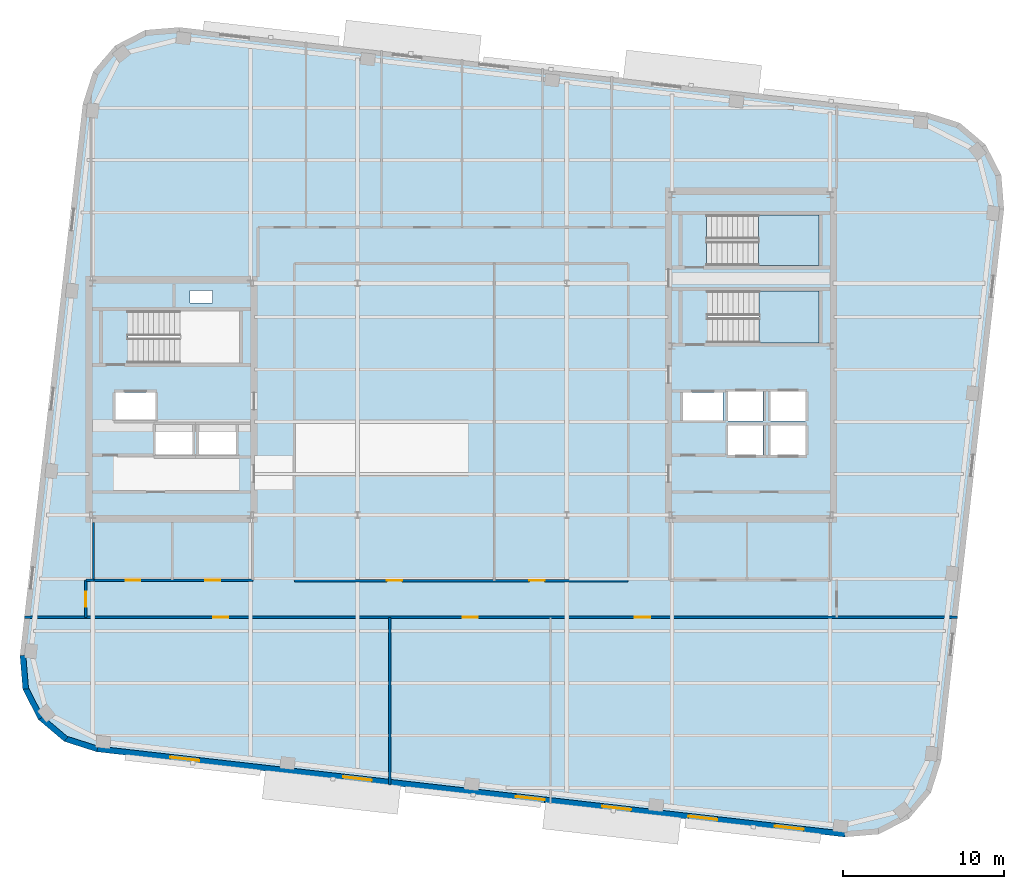
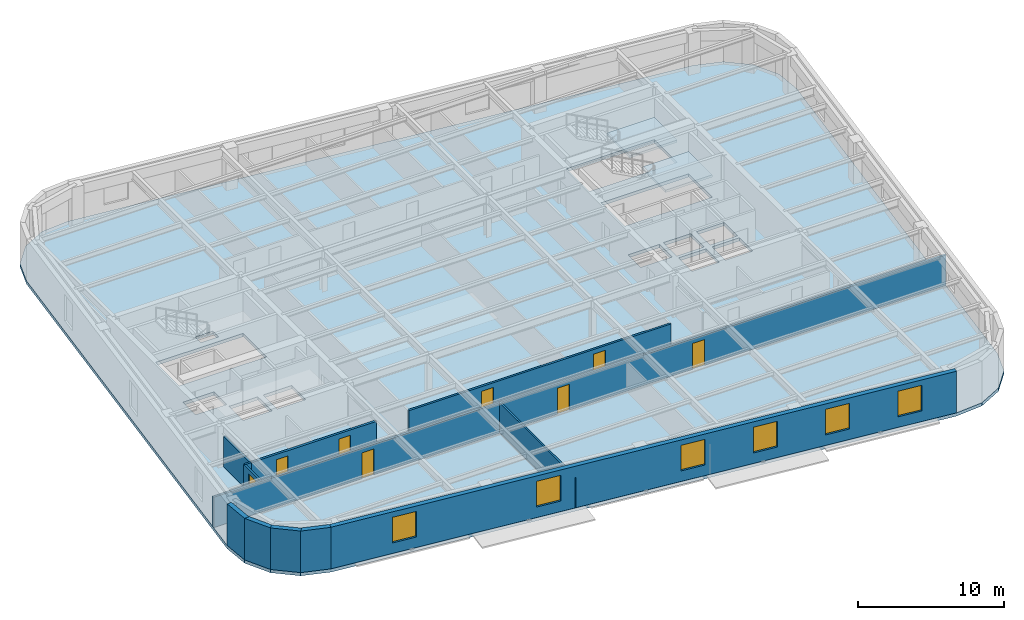
# One storey, part 5 of 13: 12 walls, 8 doors, 6 windows, 3 slabs, 14 openings, 2 elements without a shape of their own.
"""IFC4 building model written with IfcOpenShell, lengths in metres."""

import ifcopenshell
import ifcopenshell.guid

model = None  # the IFC model being written
_history = None  # IfcOwnerHistory: only IFC2X3 demands one
_inside = {}  # id of a spatial element -> (the spatial element, [elements in it])
_under = {}  # id of a project, library or spatial element -> (it, [spatial elements below it])
_declared = {}  # id of a project -> (the project, [libraries it declares])
_typed = {}  # id of a type object -> (the type object, [elements of that type])
_made_of = {}  # id of a material, layer set ... -> (it, [elements and type objects made of it])


def new_model(schema):
    """Start an empty IFC model of exactly this schema.

    Asked for "IFC4X3", IfcOpenShell would pick the latest addendum, in which some entities
    have other attributes; the version numbers below select the first issue.
    IFC2X3 requires an IfcOwnerHistory on every rooted entity: one is made here for all.
    """
    global model, _history
    if schema == "IFC4X3":
        model = ifcopenshell.file(schema_version=(4, 3, 0, 0))
    else:
        model = ifcopenshell.file(schema=schema)
    _inside.clear()
    _under.clear()
    _declared.clear()
    _typed.clear()
    _made_of.clear()
    _history = None
    if model.schema == "IFC2X3":
        org = make("IfcOrganization", Name="unknown")
        user = make(
            "IfcPersonAndOrganization",
            ThePerson=make("IfcPerson", FamilyName="unknown"),
            TheOrganization=org,
        )
        app = make(
            "IfcApplication",
            ApplicationDeveloper=org,
            Version="unknown",
            ApplicationFullName="unknown",
            ApplicationIdentifier="unknown",
        )
        _history = make(
            "IfcOwnerHistory",
            OwningUser=user,
            OwningApplication=app,
            ChangeAction="ADDED",
            CreationDate=0,
        )
    return model


def make(cls, **values):
    """One entity of the class cls with the attributes given. An attribute that is None is left unset."""
    return model.create_entity(
        cls, **{name: value for name, value in values.items() if value is not None}
    )


def rooted(cls, **values):
    """An entity with a GlobalId (a new one), such as an element, a storey or a relation."""
    return make(cls, GlobalId=ifcopenshell.guid.new(), OwnerHistory=_history, **values)


def si_unit(unit_type, name, prefix=None):
    """IfcSIUnit, for example si_unit("LENGTHUNIT", "METRE", prefix="MILLI")."""
    return make("IfcSIUnit", UnitType=unit_type, Prefix=prefix, Name=name)


def assignment(units):
    """IfcUnitAssignment: the units of a project."""
    return None if units is None else make("IfcUnitAssignment", Units=units)


def point(xyz):
    """IfcCartesianPoint."""
    return None if xyz is None else make("IfcCartesianPoint", Coordinates=xyz)


def direction(xyz):
    """IfcDirection."""
    return None if xyz is None else make("IfcDirection", DirectionRatios=xyz)


def frame(location, z_axis=None, x_axis=None):
    """IfcAxis2Placement3D, a coordinate frame: its origin and axes. An axis left out is left unset."""
    return make(
        "IfcAxis2Placement3D",
        Location=point(location),
        Axis=direction(z_axis),
        RefDirection=direction(x_axis),
    )


def frame_2d(location, x_axis=None):
    """IfcAxis2Placement2D, a coordinate frame in the plane: its origin and x axis."""
    return make(
        "IfcAxis2Placement2D", Location=point(location), RefDirection=direction(x_axis)
    )


def origin():
    """The frame at (0, 0, 0) with its axes left unset."""
    return frame((0.0, 0.0, 0.0))


def place(relative_to, where):
    """IfcLocalPlacement: puts the frame where relative to a parent placement (None: the world)."""
    return make(
        "IfcLocalPlacement", PlacementRelTo=relative_to, RelativePlacement=where
    )


def context(
    kind, dimensions, precision=None, world=None, true_north=None, identifier=None
):
    """IfcGeometricRepresentationContext, for example the 3D "Model" context."""
    return make(
        "IfcGeometricRepresentationContext",
        ContextIdentifier=identifier,
        ContextType=kind,
        CoordinateSpaceDimension=dimensions,
        Precision=precision,
        WorldCoordinateSystem=world,
        TrueNorth=true_north,
    )


def subcontext(parent, identifier, kind, view, scale=None):
    """IfcGeometricRepresentationSubContext, for example "Body" below "Model"."""
    return make(
        "IfcGeometricRepresentationSubContext",
        ContextIdentifier=identifier,
        ContextType=kind,
        ParentContext=parent,
        TargetScale=scale,
        TargetView=view,
    )


def project(units=None, contexts=None):
    """IfcProject with its units and contexts."""
    return rooted(
        "IfcProject",
        Name="project",
        RepresentationContexts=contexts,
        UnitsInContext=assignment(units),
    )


def spatial(cls, under=None, at=None, **own):
    """A site, building, storey or space (cls), placed at a placement, below another one or the project."""
    s = rooted(cls, ObjectPlacement=at, **own)
    if under is not None:
        _under.setdefault(under.id(), (under, []))[1].append(s)
    return s


def polyline(points):
    """IfcPolyline through the points."""
    return make("IfcPolyline", Points=[point(p) for p in points])


def profile(cls, at=None, kind="AREA", **sizes):
    """A parametric profile (cls). Its sizes go by their IFC names, for example OverallWidth=200.0."""
    return make(cls, ProfileType=kind, Position=at, **sizes)


def rectangle(**sizes):
    """IfcRectangleProfileDef."""
    return profile("IfcRectangleProfileDef", **sizes)


def outline(outer, holes=None, kind="AREA"):
    """IfcArbitraryClosedProfileDef: a profile drawn as a closed curve; with holes, ...WithVoids."""
    if holes is None:
        return make("IfcArbitraryClosedProfileDef", ProfileType=kind, OuterCurve=outer)
    return make(
        "IfcArbitraryProfileDefWithVoids",
        ProfileType=kind,
        OuterCurve=outer,
        InnerCurves=holes,
    )


def extrude(swept, where, along, depth):
    """IfcExtrudedAreaSolid: the profile swept, set in the frame where, extruded along a direction by depth."""
    return make(
        "IfcExtrudedAreaSolid",
        SweptArea=swept,
        Position=where,
        ExtrudedDirection=direction(along),
        Depth=depth,
    )


def shape(context_of_items, identifier, shape_type, items):
    """IfcShapeRepresentation: the items that make up one representation, for example the "Body"."""
    return make(
        "IfcShapeRepresentation",
        ContextOfItems=context_of_items,
        RepresentationIdentifier=identifier,
        RepresentationType=shape_type,
        Items=items,
    )


def material(Name=None, Category=None):
    """IfcMaterial."""
    return make("IfcMaterial", Name=Name, Category=Category)


def layer(
    of_material, thickness, ventilated=None, Name=None, Category=None, Priority=None
):
    """IfcMaterialLayer: one layer of a wall or slab, of a material (None: an air gap)."""
    return make(
        "IfcMaterialLayer",
        Material=of_material,
        LayerThickness=thickness,
        IsVentilated=ventilated,
        Name=Name,
        Category=Category,
        Priority=Priority,
    )


def layer_set(layers, Name=None):
    """IfcMaterialLayerSet."""
    return make("IfcMaterialLayerSet", MaterialLayers=layers, LayerSetName=Name)


def made_of(thing, what):
    """Note that an element or type object is made of a material, layer set ...; save() writes the relation."""
    if what is not None:
        _made_of.setdefault(what.id(), (what, []))[1].append(thing)
    return thing


def type_object(cls, material=None, **own):
    """A type object (cls), such as IfcWallType, which elements share."""
    return made_of(rooted(cls, **own), material)


def element(
    cls,
    number,
    at=None,
    inside=None,
    cuts=None,
    type_object=None,
    material=None,
    context=None,
    identifier="Body",
    shape_type=None,
    held_by="IfcProductDefinitionShape",
    body=None,
    shapes=None,
    **own,
):
    """One element of the class cls, such as IfcWall. Its Tag is "e" and its number.

    at: its placement. inside: the storey or other place that contains it. cuts: it is an
    opening in that element (IfcRelVoidsElement). A single representation is given by context,
    identifier, shape_type and body (its items); several are given by shapes. held_by: the class
    of the entity that holds the representations. save() writes the other relations.
    """
    e = rooted(cls, Tag="e%d" % number, ObjectPlacement=at, **own)
    if body is not None:
        shapes = [shape(context, identifier, shape_type, body)]
    if shapes is not None:
        e.Representation = make(held_by, Representations=shapes)
    if inside is not None:
        _inside.setdefault(inside.id(), (inside, []))[1].append(e)
    if cuts is not None:
        rooted(
            "IfcRelVoidsElement", RelatingBuildingElement=cuts, RelatedOpeningElement=e
        )
    if type_object is not None:
        _typed.setdefault(type_object.id(), (type_object, []))[1].append(e)
    return made_of(e, material)


def fill(opening, filler):
    """IfcRelFillsElement: the door or window that sits in an opening."""
    return rooted(
        "IfcRelFillsElement",
        RelatingOpeningElement=opening,
        RelatedBuildingElement=filler,
    )


def aggregate(whole, parts):
    """IfcRelAggregates: a whole, such as a stair, and the parts it consists of."""
    return rooted("IfcRelAggregates", RelatingObject=whole, RelatedObjects=parts)


def save(model, path):
    """Write the relations noted so far, then the file.

    IfcRelAggregates (storeys below a building ...), IfcRelContainedInSpatialStructure (elements
    in a storey), IfcRelDefinesByType, IfcRelAssociatesMaterial and IfcRelDeclares: one each for
    every whole, place, type object, material and project.
    """
    for whole, parts in _under.values():
        aggregate(whole, parts)
    for where, things in _inside.values():
        rooted(
            "IfcRelContainedInSpatialStructure",
            RelatedElements=things,
            RelatingStructure=where,
        )
    for kind, things in _typed.values():
        rooted("IfcRelDefinesByType", RelatedObjects=things, RelatingType=kind)
    for what, things in _made_of.values():
        rooted("IfcRelAssociatesMaterial", RelatedObjects=things, RelatingMaterial=what)
    for by, libraries in _declared.values():
        rooted("IfcRelDeclares", RelatingContext=by, RelatedDefinitions=libraries)
    model.write(path)


model = new_model("IFC4")

# Units and contexts
model_context = context("Model", 3, precision=1e-05, world=origin(), true_north=direction((0.0, 1.0)))
body_context = subcontext(model_context, "Body", "Model", "MODEL_VIEW")
ifc_project = project(units=[si_unit("LENGTHUNIT", "METRE"), si_unit("AREAUNIT", "SQUARE_METRE"), si_unit("VOLUMEUNIT", "CUBIC_METRE"), si_unit("PLANEANGLEUNIT", "RADIAN"), si_unit("MASSUNIT", "GRAM", prefix="KILO")], contexts=[model_context])

# Site, building, storey
site_placement = place(None, origin())
site = spatial("IfcSite", under=ifc_project, at=site_placement, CompositionType="ELEMENT")
building_placement = place(site_placement, origin())
building = spatial("IfcBuilding", under=site, at=building_placement, Name="Kolvaren Arena Tower", CompositionType="ELEMENT")
storey_placement = place(building_placement, frame((0.0, 0.0, 239.699951171875)))
storey = spatial("IfcBuildingStorey", under=building, at=storey_placement, Name="L58", CompositionType="ELEMENT", Elevation=239.699951171875)

# Stair, slab
ifc_material_1 = material(Name="Concrete 45 MPa", Category="concrete")
stair_type_1 = type_object("IfcStairType", Name="STAIR-CORE-165", PredefinedType="HALF_TURN_STAIR", material=ifc_material_1)
stair_1_placement = place(storey_placement, origin())
stair_1 = element("IfcStair", 1, at=stair_1_placement, inside=storey, type_object=stair_type_1, Name="L58 ST-E1", PredefinedType="HALF_TURN_STAIR")
ifc_layer_1 = layer(ifc_material_1, 0.199951171875)
ifc_layer_set_1 = layer_set([ifc_layer_1], Name="Concrete 45 MPa")
slab_type_1 = type_object("IfcSlabType", Name="SLAB-LAND", PredefinedType="LANDING", material=ifc_layer_set_1)
slab_1_placement = place(storey_placement, frame((0.0, 0.0, 1.675048828125)))
slab_1 = element("IfcSlab", 2, at=slab_1_placement, type_object=slab_type_1, Name="ST-E1 landing 1", PredefinedType="LANDING", context=body_context, shape_type="SweptSolid", body=[
    extrude(outline(polyline([(55.9599609375, 30.14990234375), (59.659912109375, 30.14990234375), (59.659912109375, 33.3798828125), (55.9599609375, 33.3798828125), (55.9599609375, 30.14990234375)])), origin(), (0.0, 0.0, 1.0), 0.199951171875),
])
aggregate(stair_1, [slab_1])

stair_type_2 = type_object("IfcStairType", Name="STAIR-CORE-150", PredefinedType="HALF_TURN_STAIR", material=ifc_material_1)
stair_2_placement = place(storey_placement, origin())
stair_2 = element("IfcStair", 3, at=stair_2_placement, inside=storey, type_object=stair_type_2, Name="L58 ST-E2", PredefinedType="HALF_TURN_STAIR")
slab_2_placement = place(storey_placement, frame((0.0, 0.0, 1.675048828125)))
slab_2 = element("IfcSlab", 4, at=slab_2_placement, type_object=slab_type_1, Name="ST-E2 landing 1", PredefinedType="LANDING", context=body_context, shape_type="SweptSolid", body=[
    extrude(outline(polyline([(55.919921875, 34.949951171875), (59.659912109375, 34.949951171875), (59.659912109375, 38.10009765625), (55.919921875, 38.10009765625), (55.919921875, 34.949951171875)])), origin(), (0.0, 0.0, 1.0), 0.199951171875),
])
aggregate(stair_2, [slab_2])

# Slab
ifc_layer_2 = layer(ifc_material_1, 0.27001953125)
ifc_layer_set_2 = layer_set([ifc_layer_2], Name="Concrete 45 MPa")
slab_type_2 = type_object("IfcSlabType", Name="SLAB-OFF2", PredefinedType="FLOOR", material=ifc_layer_set_2)
slab_3_placement = place(storey_placement, frame((0.0, 0.0, -0.27001953125)))
element("IfcSlab", 5, at=slab_3_placement, inside=storey, type_object=slab_type_2, Name="L58 Primary Structural Slab", PredefinedType="FLOOR", context=body_context, shape_type="SweptSolid", body=[
    extrude(outline(polyline([(61.285400390625, -0.553466796875), (63.38525390625, -0.37890625), (65.25830078125, 0.585693359375), (66.619873046875, 2.194091796875), (67.26220703125, 4.20068359375), (71.16748046875, 38.47900390625), (70.9931640625, 40.57861328125), (70.0283203125, 42.45166015625), (68.42041015625, 43.81298828125), (66.41357421875, 44.455322265625), (19.91455078125, 49.75341796875), (17.814697265625, 49.578857421875), (15.941650390625, 48.6142578125), (14.580078125, 47.006103515625), (13.93798828125, 44.99951171875), (10.032470703125, 10.72119140625), (10.206787109375, 8.621337890625), (11.171630859375, 6.748291015625), (12.77978515625, 5.386962890625), (14.786376953125, 4.74462890625), (61.285400390625, -0.553466796875)]), holes=[polyline([(20.739990234375, 23.135009765625), (18.4599609375, 23.135009765625), (18.4599609375, 25.06494140625), (20.739990234375, 25.06494140625), (20.739990234375, 23.135009765625)]), polyline([(21.159912109375, 23.135009765625), (21.159912109375, 25.06494140625), (23.43994140625, 25.06494140625), (23.43994140625, 23.135009765625), (21.159912109375, 23.135009765625)]), polyline([(56.2099609375, 23.18505859375), (54.030029296875, 23.18505859375), (54.030029296875, 25.014892578125), (56.2099609375, 25.014892578125), (56.2099609375, 23.18505859375)]), polyline([(56.669921875, 23.18505859375), (56.669921875, 25.014892578125), (58.85009765625, 25.014892578125), (58.85009765625, 23.18505859375), (56.669921875, 23.18505859375)]), polyline([(54.030029296875, 25.284912109375), (54.030029296875, 27.114990234375), (56.2099609375, 27.114990234375), (56.2099609375, 25.284912109375), (54.030029296875, 25.284912109375)]), polyline([(58.85009765625, 25.284912109375), (56.669921875, 25.284912109375), (56.669921875, 27.114990234375), (58.85009765625, 27.114990234375), (58.85009765625, 25.284912109375)]), polyline([(15.9599609375, 25.3349609375), (15.9599609375, 27.06494140625), (18.43994140625, 27.06494140625), (18.43994140625, 25.3349609375), (15.9599609375, 25.3349609375)]), polyline([(53.699951171875, 25.3349609375), (51.219970703125, 25.3349609375), (51.219970703125, 27.06494140625), (53.699951171875, 27.06494140625), (53.699951171875, 25.3349609375)]), polyline([(16.735107421875, 28.89990234375), (16.735107421875, 32.1298828125), (23.659912109375, 32.1298828125), (23.659912109375, 28.89990234375), (16.735107421875, 28.89990234375)]), polyline([(52.735107421875, 30.14990234375), (52.735107421875, 33.3798828125), (59.659912109375, 33.3798828125), (59.659912109375, 30.14990234375), (52.735107421875, 30.14990234375)]), polyline([(20.60009765625, 32.6201171875), (20.60009765625, 33.39990234375), (22.0, 33.39990234375), (22.0, 32.6201171875), (20.60009765625, 32.6201171875)]), polyline([(52.695068359375, 34.949951171875), (52.695068359375, 38.10009765625), (59.659912109375, 38.10009765625), (59.659912109375, 34.949951171875), (52.695068359375, 34.949951171875)])]), origin(), (0.0, 0.0, 1.0), 0.27001953125),
])

# Wall, openings, doors
ifc_material_2 = material(Name="Gypsum board acoustic assembly", Category="gypsum")
ifc_layer_3 = layer(ifc_material_2, 0.159912109375)
ifc_layer_set_3 = layer_set([ifc_layer_3], Name="Gypsum board acoustic assembly")
wall_type_1 = type_object("IfcWallType", Name="CORR-160", PredefinedType="PARTITIONING", material=ifc_layer_set_3)
wall_1_placement = place(storey_placement, frame((10.303466796875, 13.10009765625, 0.0), z_axis=(0.0, 0.0, 1.0), x_axis=(1.0, 0.0, 0.0)))
wall_1 = element("IfcWall", 6, at=wall_1_placement, inside=storey, type_object=wall_type_1, Name="Interior Partition Wall (L58)", PredefinedType="PARTITIONING", context=body_context, shape_type="SweptSolid", body=[
    extrude(rectangle(XDim=57.97265625, YDim=0.159912109375, at=frame_2d((28.986328125, 0.0))), origin(), (0.0, 0.0, 1.0), 2.5400390625),
])
opening_1_placement = place(wall_1_placement, frame((11.7216796875, 0.0, 0.0)))
opening_1 = element("IfcOpeningElement", 7, at=opening_1_placement, cuts=wall_1, Name="Opening D05", PredefinedType="OPENING", context=body_context, shape_type="SweptSolid", body=[
    extrude(rectangle(XDim=0.949951171875, YDim=2.14990234375, at=frame_2d((0.47509765625, 1.074951171875))), frame((0.0, 0.08984375, 0.0), z_axis=(0.0, -1.0, 0.0), x_axis=(1.0, 0.0, 0.0)), (0.0, 0.0, 1.0), 0.179931640625),
])
opening_2_placement = place(wall_1_placement, frame((27.2216796875, 0.0, 0.0)))
opening_2 = element("IfcOpeningElement", 8, at=opening_2_placement, cuts=wall_1, Name="Opening D05", PredefinedType="OPENING", context=body_context, shape_type="SweptSolid", body=[
    extrude(rectangle(XDim=0.949951171875, YDim=2.14990234375, at=frame_2d((0.47509765625, 1.074951171875))), frame((0.0, 0.08984375, 0.0), z_axis=(0.0, -1.0, 0.0), x_axis=(1.0, 0.0, 0.0)), (0.0, 0.0, 1.0), 0.179931640625),
])
opening_3_placement = place(wall_1_placement, frame((37.921630859375, 0.0, 0.0)))
opening_3 = element("IfcOpeningElement", 9, at=opening_3_placement, cuts=wall_1, Name="Opening D05", PredefinedType="OPENING", context=body_context, shape_type="SweptSolid", body=[
    extrude(rectangle(XDim=0.949951171875, YDim=2.14990234375, at=frame_2d((0.47509765625, 1.074951171875))), frame((0.0, 0.08984375, 0.0), z_axis=(0.0, -1.0, 0.0), x_axis=(1.0, 0.0, 0.0)), (0.0, 0.0, 1.0), 0.179931640625),
])
ifc_material_3 = material(Name="Solid-core oak acoustic office door", Category="wood")
door_type_1 = type_object("IfcDoorType", Name="DOOR-OF-095", OperationType="NOTDEFINED", PredefinedType="DOOR", material=ifc_material_3)
door_1_placement = place(opening_1_placement, origin())
door_1 = element("IfcDoor", 10, at=door_1_placement, inside=storey, type_object=door_type_1, Name="Executive Office Door (L58)", OperationType="SINGLE_SWING_RIGHT", OverallHeight=2.14990234375, OverallWidth=0.949951171875, PredefinedType="DOOR", context=body_context, shape_type="SweptSolid", body=[
    extrude(rectangle(XDim=0.949951171875, YDim=2.14990234375, at=frame_2d((0.47509765625, 1.074951171875))), frame((0.0, 0.02490234375, 0.0), z_axis=(0.0, -1.0, 0.0), x_axis=(1.0, 0.0, 0.0)), (0.0, 0.0, 1.0), 0.050048828125),
])
fill(opening_1, door_1)
door_2_placement = place(opening_2_placement, origin())
door_2 = element("IfcDoor", 11, at=door_2_placement, inside=storey, type_object=door_type_1, Name="Open Plan Office Door (L58)", OperationType="SINGLE_SWING_LEFT", OverallHeight=2.14990234375, OverallWidth=0.949951171875, PredefinedType="DOOR", context=body_context, shape_type="SweptSolid", body=[
    extrude(rectangle(XDim=0.949951171875, YDim=2.14990234375, at=frame_2d((0.47509765625, 1.074951171875))), frame((0.0, 0.02490234375, 0.0), z_axis=(0.0, -1.0, 0.0), x_axis=(1.0, 0.0, 0.0)), (0.0, 0.0, 1.0), 0.050048828125),
])
fill(opening_2, door_2)
door_3_placement = place(opening_3_placement, origin())
door_3 = element("IfcDoor", 12, at=door_3_placement, inside=storey, type_object=door_type_1, Name="Executive Office Door (L58)", OperationType="SINGLE_SWING_RIGHT", OverallHeight=2.14990234375, OverallWidth=0.949951171875, PredefinedType="DOOR", context=body_context, shape_type="SweptSolid", body=[
    extrude(rectangle(XDim=0.949951171875, YDim=2.14990234375, at=frame_2d((0.47509765625, 1.074951171875))), frame((0.0, 0.02490234375, 0.0), z_axis=(0.0, -1.0, 0.0), x_axis=(1.0, 0.0, 0.0)), (0.0, 0.0, 1.0), 0.050048828125),
])
fill(opening_3, door_3)

wall_2_placement = place(storey_placement, frame((27.080078125, 15.3798828125, 0.0), z_axis=(0.0, 0.0, 1.0), x_axis=(1.0, 0.0, 0.0)))
wall_2 = element("IfcWall", 13, at=wall_2_placement, inside=storey, type_object=wall_type_1, Name="Interior Partition Wall (L58)", PredefinedType="PARTITIONING", context=body_context, shape_type="SweptSolid", body=[
    extrude(rectangle(XDim=20.739990234375, YDim=0.159912109375, at=frame_2d((10.3701171875, 0.0))), origin(), (0.0, 0.0, 1.0), 2.5400390625),
])
opening_4_placement = place(wall_2_placement, frame((5.7451171875, 0.0, 0.0)))
opening_4 = element("IfcOpeningElement", 14, at=opening_4_placement, cuts=wall_2, Name="Opening D05", PredefinedType="OPENING", context=body_context, shape_type="SweptSolid", body=[
    extrude(rectangle(XDim=0.949951171875, YDim=2.14990234375, at=frame_2d((0.47509765625, 1.074951171875))), frame((0.0, 0.08984375, 0.0), z_axis=(0.0, -1.0, 0.0), x_axis=(1.0, 0.0, 0.0)), (0.0, 0.0, 1.0), 0.179931640625),
])
opening_5_placement = place(wall_2_placement, frame((14.594970703125, 0.0, 0.0)))
opening_5 = element("IfcOpeningElement", 15, at=opening_5_placement, cuts=wall_2, Name="Opening D05", PredefinedType="OPENING", context=body_context, shape_type="SweptSolid", body=[
    extrude(rectangle(XDim=0.949951171875, YDim=2.14990234375, at=frame_2d((0.47509765625, 1.074951171875))), frame((0.0, 0.08984375, 0.0), z_axis=(0.0, -1.0, 0.0), x_axis=(1.0, 0.0, 0.0)), (0.0, 0.0, 1.0), 0.179931640625),
])
door_4_placement = place(opening_4_placement, origin())
door_4 = element("IfcDoor", 16, at=door_4_placement, inside=storey, type_object=door_type_1, Name="Technical Engineering Office Door (L58)", OperationType="SINGLE_SWING_LEFT", OverallHeight=2.14990234375, OverallWidth=0.949951171875, PredefinedType="DOOR", context=body_context, shape_type="SweptSolid", body=[
    extrude(rectangle(XDim=0.949951171875, YDim=2.14990234375, at=frame_2d((0.47509765625, 1.074951171875))), frame((0.0, 0.02490234375, 0.0), z_axis=(0.0, -1.0, 0.0), x_axis=(1.0, 0.0, 0.0)), (0.0, 0.0, 1.0), 0.050048828125),
])
fill(opening_4, door_4)
door_5_placement = place(opening_5_placement, origin())
door_5 = element("IfcDoor", 17, at=door_5_placement, inside=storey, type_object=door_type_1, Name="Corporate Project Office Door (L58)", OperationType="SINGLE_SWING_RIGHT", OverallHeight=2.14990234375, OverallWidth=0.949951171875, PredefinedType="DOOR", context=body_context, shape_type="SweptSolid", body=[
    extrude(rectangle(XDim=0.949951171875, YDim=2.14990234375, at=frame_2d((0.47509765625, 1.074951171875))), frame((0.0, 0.02490234375, 0.0), z_axis=(0.0, -1.0, 0.0), x_axis=(1.0, 0.0, 0.0)), (0.0, 0.0, 1.0), 0.050048828125),
])
fill(opening_5, door_5)

# Wall, opening, door
wall_3_placement = place(storey_placement, frame((14.1201171875, 13.10009765625, 0.0), z_axis=(0.0, 0.0, 1.0), x_axis=(0.0, 1.0, 0.0)))
wall_3 = element("IfcWall", 18, at=wall_3_placement, inside=storey, type_object=wall_type_1, Name="Interior Partition Wall (L58)", PredefinedType="PARTITIONING", context=body_context, shape_type="SweptSolid", body=[
    extrude(rectangle(XDim=2.2998046875, YDim=0.159912109375, at=frame_2d((1.14990234375, 0.0))), origin(), (0.0, 0.0, 1.0), 2.5400390625),
])
opening_6_placement = place(wall_3_placement, frame((0.64990234375, 0.0, 0.0)))
opening_6 = element("IfcOpeningElement", 19, at=opening_6_placement, cuts=wall_3, Name="Opening D05", PredefinedType="OPENING", context=body_context, shape_type="SweptSolid", body=[
    extrude(rectangle(XDim=0.949951171875, YDim=2.14990234375, at=frame_2d((0.47509765625, 1.074951171875))), frame((0.0, 0.08984375, 0.0), z_axis=(0.0, -1.0, 0.0), x_axis=(1.0, 0.0, 0.0)), (0.0, 0.0, 1.0), 0.179931640625),
])
door_6_placement = place(opening_6_placement, origin())
door_6 = element("IfcDoor", 20, at=door_6_placement, inside=storey, type_object=door_type_1, Name="West Wing Office Door (L58)", OperationType="SINGLE_SWING_LEFT", OverallHeight=2.14990234375, OverallWidth=0.949951171875, PredefinedType="DOOR", context=body_context, shape_type="SweptSolid", body=[
    extrude(rectangle(XDim=0.949951171875, YDim=2.14990234375, at=frame_2d((0.47509765625, 1.074951171875))), frame((0.0, 0.02490234375, 0.0), z_axis=(0.0, -1.0, 0.0), x_axis=(1.0, 0.0, 0.0)), (0.0, 0.0, 1.0), 0.050048828125),
])
fill(opening_6, door_6)

# Walls
wall_4_placement = place(storey_placement, frame((14.1201171875, 15.39990234375, 0.0), z_axis=(0.0, 0.0, 1.0), x_axis=(1.0, 0.0, 0.0)))
element("IfcWall", 21, at=wall_4_placement, inside=storey, type_object=wall_type_1, Name="Interior Partition Wall (L58)", PredefinedType="PARTITIONING", context=body_context, shape_type="SweptSolid", body=[
    extrude(rectangle(XDim=0.5, YDim=0.159912109375, at=frame_2d((0.25, 0.0))), origin(), (0.0, 0.0, 1.0), 2.5400390625),
])
ifc_material_4 = material(Name="Precast concrete C50/60", Category="concrete")
ifc_layer_4 = layer(ifc_material_4, 0.360107421875)
ifc_layer_set_4 = layer_set([ifc_layer_4], Name="Precast concrete C50/60")
wall_type_2 = type_object("IfcWallType", Name="EXT-PIER2", PredefinedType="SOLIDWALL", material=ifc_layer_set_4)
wall_5_placement = place(storey_placement, frame((10.38623046875, 8.63623046875, 0.0), z_axis=(0.0, 0.0, 1.0), x_axis=(-0.082729038891, 0.996572077737, 0.0)))
element("IfcWall", 22, at=wall_5_placement, inside=storey, type_object=wall_type_2, Name="Exterior Precast Masonry-Frame Wall (L58)", PredefinedType="SOLIDWALL", context=body_context, shape_type="SweptSolid", body=[
    extrude(rectangle(XDim=2.107177734375, YDim=0.360107421875, at=frame_2d((1.0537109375, 0.0))), origin(), (0.0, 0.0, 1.0), 3.47998046875),
])
for number, where, z_axis, x_axis, name in (
    (23, (11.33154296875, 6.830810546875, 0.0), (0.0, 0.0, 1.0), (-0.457934390142, 0.888985992199, 0.0), "Exterior Precast Masonry-Frame Wall (L58)"),
    (24, (12.89599609375, 5.5244140625, 0.0), (0.0, 0.0, 1.0), (-0.763250018691, 0.646103249464, 0.0), "Exterior Precast Masonry-Frame Wall (L58)"),
    (25, (14.84130859375, 4.916015625, 0.0), (0.0, 0.0, 1.0), (-0.952393196904, 0.304872429864, 0.0), "Exterior Precast Masonry-Frame Wall (L58)"),
):
    element("IfcWall", number, at=place(storey_placement, frame(where, z_axis=z_axis, x_axis=x_axis)), inside=storey, type_object=wall_type_2, Name=name, PredefinedType="SOLIDWALL", context=body_context, shape_type="SweptSolid", body=[
        extrude(rectangle(XDim=2.10693359375, YDim=0.360107421875, at=frame_2d((1.053466796875, 0.0))), origin(), (0.0, 0.0, 1.0), 3.47998046875),
    ])

# Wall, openings, windows
wall_6_placement = place(storey_placement, frame((61.305908203125, -0.37451171875, 0.0), z_axis=(0.0, 0.0, 1.0), x_axis=(-0.993571958919, 0.113202307616, 0.0)))
wall_6 = element("IfcWall", 26, at=wall_6_placement, inside=storey, type_object=wall_type_2, Name="Exterior Precast Masonry-Frame Wall (L58)", PredefinedType="SOLIDWALL", context=body_context, shape_type="SweptSolid", body=[
    extrude(rectangle(XDim=46.7998046875, YDim=0.360107421875, at=frame_2d((23.39990234375, 0.0))), origin(), (0.0, 0.0, 1.0), 3.47998046875),
])
opening_7_placement = place(wall_6_placement, frame((2.60009765625, 0.0, 0.8798828125)))
opening_7 = element("IfcOpeningElement", 27, at=opening_7_placement, cuts=wall_6, Name="Opening W02", PredefinedType="OPENING", context=body_context, shape_type="SweptSolid", body=[
    extrude(rectangle(XDim=1.800048828125, YDim=2.14990234375, at=frame_2d((0.89990234375, 1.074951171875))), frame((0.0, 0.18994140625, 0.0), z_axis=(0.0, -1.0, 0.0), x_axis=(1.0, 0.0, 0.0)), (0.0, 0.0, 1.0), 0.380126953125),
])
opening_8_placement = place(wall_6_placement, frame((8.0, 0.0, 0.8798828125)))
opening_8 = element("IfcOpeningElement", 28, at=opening_8_placement, cuts=wall_6, Name="Opening W02", PredefinedType="OPENING", context=body_context, shape_type="SweptSolid", body=[
    extrude(rectangle(XDim=1.800048828125, YDim=2.14990234375, at=frame_2d((0.89990234375, 1.074951171875))), frame((0.0, 0.18994140625, 0.0), z_axis=(0.0, -1.0, 0.0), x_axis=(1.0, 0.0, 0.0)), (0.0, 0.0, 1.0), 0.380126953125),
])
opening_9_placement = place(wall_6_placement, frame((13.39990234375, 0.0, 0.8798828125)))
opening_9 = element("IfcOpeningElement", 29, at=opening_9_placement, cuts=wall_6, Name="Opening W02", PredefinedType="OPENING", context=body_context, shape_type="SweptSolid", body=[
    extrude(rectangle(XDim=1.800048828125, YDim=2.14990234375, at=frame_2d((0.89990234375, 1.074951171875))), frame((0.0, 0.18994140625, 0.0), z_axis=(0.0, -1.0, 0.0), x_axis=(1.0, 0.0, 0.0)), (0.0, 0.0, 1.0), 0.380126953125),
])
opening_10_placement = place(wall_6_placement, frame((18.800048828125, 0.0, 0.8798828125)))
opening_10 = element("IfcOpeningElement", 30, at=opening_10_placement, cuts=wall_6, Name="Opening W02", PredefinedType="OPENING", context=body_context, shape_type="SweptSolid", body=[
    extrude(rectangle(XDim=1.800048828125, YDim=2.14990234375, at=frame_2d((0.89990234375, 1.074951171875))), frame((0.0, 0.18994140625, 0.0), z_axis=(0.0, -1.0, 0.0), x_axis=(1.0, 0.0, 0.0)), (0.0, 0.0, 1.0), 0.380126953125),
])
opening_11_placement = place(wall_6_placement, frame((29.60009765625, 0.0, 0.8798828125)))
opening_11 = element("IfcOpeningElement", 31, at=opening_11_placement, cuts=wall_6, Name="Opening W02", PredefinedType="OPENING", context=body_context, shape_type="SweptSolid", body=[
    extrude(rectangle(XDim=1.800048828125, YDim=2.14990234375, at=frame_2d((0.89990234375, 1.074951171875))), frame((0.0, 0.18994140625, 0.0), z_axis=(0.0, -1.0, 0.0), x_axis=(1.0, 0.0, 0.0)), (0.0, 0.0, 1.0), 0.380126953125),
])
opening_12_placement = place(wall_6_placement, frame((40.39990234375, 0.0, 0.8798828125)))
opening_12 = element("IfcOpeningElement", 32, at=opening_12_placement, cuts=wall_6, Name="Opening W02", PredefinedType="OPENING", context=body_context, shape_type="SweptSolid", body=[
    extrude(rectangle(XDim=1.800048828125, YDim=2.14990234375, at=frame_2d((0.89990234375, 1.074951171875))), frame((0.0, 0.18994140625, 0.0), z_axis=(0.0, -1.0, 0.0), x_axis=(1.0, 0.0, 0.0)), (0.0, 0.0, 1.0), 0.380126953125),
])
ifc_material_5 = material(Name="Triple-glazed low-E aluminium window", Category="aluminium")
window_type = type_object("IfcWindowType", Name="WIN-OFF-B", PartitioningType="DOUBLE_PANEL_VERTICAL", PredefinedType="WINDOW", material=ifc_material_5)
window_1_placement = place(opening_7_placement, origin())
window_1 = element("IfcWindow", 33, at=window_1_placement, inside=storey, type_object=window_type, Name="Punched Precast-Pier Window (L58)", OverallHeight=2.14990234375, OverallWidth=1.800048828125, PartitioningType="DOUBLE_PANEL_VERTICAL", PredefinedType="WINDOW", context=body_context, shape_type="SweptSolid", body=[
    extrude(rectangle(XDim=1.800048828125, YDim=2.14990234375, at=frame_2d((0.89990234375, 1.074951171875))), frame((0.0, 0.030029296875, 0.0), z_axis=(0.0, -1.0, 0.0), x_axis=(1.0, 0.0, 0.0)), (0.0, 0.0, 1.0), 0.06005859375),
])
fill(opening_7, window_1)
window_2_placement = place(opening_8_placement, origin())
window_2 = element("IfcWindow", 34, at=window_2_placement, inside=storey, type_object=window_type, Name="Punched Precast-Pier Window (L58)", OverallHeight=2.14990234375, OverallWidth=1.800048828125, PartitioningType="DOUBLE_PANEL_VERTICAL", PredefinedType="WINDOW", context=body_context, shape_type="SweptSolid", body=[
    extrude(rectangle(XDim=1.800048828125, YDim=2.14990234375, at=frame_2d((0.89990234375, 1.074951171875))), frame((0.0, 0.030029296875, 0.0), z_axis=(0.0, -1.0, 0.0), x_axis=(1.0, 0.0, 0.0)), (0.0, 0.0, 1.0), 0.06005859375),
])
fill(opening_8, window_2)
window_3_placement = place(opening_9_placement, origin())
window_3 = element("IfcWindow", 35, at=window_3_placement, inside=storey, type_object=window_type, Name="Punched Precast-Pier Window (L58)", OverallHeight=2.14990234375, OverallWidth=1.800048828125, PartitioningType="DOUBLE_PANEL_VERTICAL", PredefinedType="WINDOW", context=body_context, shape_type="SweptSolid", body=[
    extrude(rectangle(XDim=1.800048828125, YDim=2.14990234375, at=frame_2d((0.89990234375, 1.074951171875))), frame((0.0, 0.030029296875, 0.0), z_axis=(0.0, -1.0, 0.0), x_axis=(1.0, 0.0, 0.0)), (0.0, 0.0, 1.0), 0.06005859375),
])
fill(opening_9, window_3)
window_4_placement = place(opening_10_placement, origin())
window_4 = element("IfcWindow", 36, at=window_4_placement, inside=storey, type_object=window_type, Name="Punched Precast-Pier Window (L58)", OverallHeight=2.14990234375, OverallWidth=1.800048828125, PartitioningType="DOUBLE_PANEL_VERTICAL", PredefinedType="WINDOW", context=body_context, shape_type="SweptSolid", body=[
    extrude(rectangle(XDim=1.800048828125, YDim=2.14990234375, at=frame_2d((0.89990234375, 1.074951171875))), frame((0.0, 0.030029296875, 0.0), z_axis=(0.0, -1.0, 0.0), x_axis=(1.0, 0.0, 0.0)), (0.0, 0.0, 1.0), 0.06005859375),
])
fill(opening_10, window_4)
window_5_placement = place(opening_11_placement, origin())
window_5 = element("IfcWindow", 37, at=window_5_placement, inside=storey, type_object=window_type, Name="Punched Precast-Pier Window (L58)", OverallHeight=2.14990234375, OverallWidth=1.800048828125, PartitioningType="DOUBLE_PANEL_VERTICAL", PredefinedType="WINDOW", context=body_context, shape_type="SweptSolid", body=[
    extrude(rectangle(XDim=1.800048828125, YDim=2.14990234375, at=frame_2d((0.89990234375, 1.074951171875))), frame((0.0, 0.030029296875, 0.0), z_axis=(0.0, -1.0, 0.0), x_axis=(1.0, 0.0, 0.0)), (0.0, 0.0, 1.0), 0.06005859375),
])
fill(opening_11, window_5)
window_6_placement = place(opening_12_placement, origin())
window_6 = element("IfcWindow", 38, at=window_6_placement, inside=storey, type_object=window_type, Name="Punched Precast-Pier Window (L58)", OverallHeight=2.14990234375, OverallWidth=1.800048828125, PartitioningType="DOUBLE_PANEL_VERTICAL", PredefinedType="WINDOW", context=body_context, shape_type="SweptSolid", body=[
    extrude(rectangle(XDim=1.800048828125, YDim=2.14990234375, at=frame_2d((0.89990234375, 1.074951171875))), frame((0.0, 0.030029296875, 0.0), z_axis=(0.0, -1.0, 0.0), x_axis=(1.0, 0.0, 0.0)), (0.0, 0.0, 1.0), 0.06005859375),
])
fill(opening_12, window_6)

# Wall
ifc_material_6 = material(Name="Gypsum board partition assembly", Category="gypsum")
ifc_layer_5 = layer(ifc_material_6, 0.135009765625)
ifc_layer_set_5 = layer_set([ifc_layer_5], Name="Gypsum board partition assembly")
wall_type_3 = type_object("IfcWallType", Name="PART-135", PredefinedType="PARTITIONING", material=ifc_layer_set_5)
wall_7_placement = place(storey_placement, frame((33.0, 2.66943359375, 0.0), z_axis=(0.0, 0.0, 1.0), x_axis=(0.0, 1.0, 0.0)))
element("IfcWall", 39, at=wall_7_placement, inside=storey, type_object=wall_type_3, Name="Interior Partition Wall (L58)", PredefinedType="PARTITIONING", context=body_context, shape_type="SweptSolid", body=[
    extrude(rectangle(XDim=10.4306640625, YDim=0.135009765625, at=frame_2d((5.21533203125, 0.0))), origin(), (0.0, 0.0, 1.0), 2.5400390625),
])

# Wall, openings, doors
ifc_material_7 = material(Name="Moisture-resistant gypsum assembly", Category="gypsum")
ifc_layer_6 = layer(ifc_material_7, 0.14990234375)
ifc_layer_set_6 = layer_set([ifc_layer_6], Name="Moisture-resistant gypsum assembly")
wall_type_4 = type_object("IfcWallType", Name="WETW-150", PredefinedType="PARTITIONING", material=ifc_layer_set_6)
wall_8_placement = place(storey_placement, frame((14.60009765625, 15.39990234375, 0.0), z_axis=(0.0, 0.0, 1.0), x_axis=(1.0, 0.0, 0.0)))
wall_8 = element("IfcWall", 40, at=wall_8_placement, inside=storey, type_object=wall_type_4, Name="Interior Partition Wall (L58)", PredefinedType="PARTITIONING", context=body_context, shape_type="SweptSolid", body=[
    extrude(rectangle(XDim=9.89990234375, YDim=0.179931640625, at=frame_2d((4.949951171875, 0.0))), origin(), (0.0, 0.0, 1.0), 2.5400390625),
])
opening_13_placement = place(wall_8_placement, frame((1.989990234375, 0.0, 0.0)))
opening_13 = element("IfcOpeningElement", 41, at=opening_13_placement, cuts=wall_8, Name="Opening D07", PredefinedType="OPENING", context=body_context, shape_type="SweptSolid", body=[
    extrude(rectangle(XDim=0.919921875, YDim=2.10009765625, at=frame_2d((0.4599609375, 1.050048828125))), frame((0.0, 0.099853515625, 0.0), z_axis=(0.0, -1.0, 0.0), x_axis=(1.0, 0.0, 0.0)), (0.0, 0.0, 1.0), 0.199951171875),
])
opening_14_placement = place(wall_8_placement, frame((6.93994140625, 0.0, 0.0)))
opening_14 = element("IfcOpeningElement", 42, at=opening_14_placement, cuts=wall_8, Name="Opening D07", PredefinedType="OPENING", context=body_context, shape_type="SweptSolid", body=[
    extrude(rectangle(XDim=0.919921875, YDim=2.10009765625, at=frame_2d((0.4599609375, 1.050048828125))), frame((0.0, 0.099853515625, 0.0), z_axis=(0.0, -1.0, 0.0), x_axis=(1.0, 0.0, 0.0)), (0.0, 0.0, 1.0), 0.199951171875),
])
ifc_material_8 = material(Name="Laminate universal washroom door", Category="wood")
door_type_2 = type_object("IfcDoorType", Name="DOOR-WC-092", OperationType="NOTDEFINED", PredefinedType="DOOR", material=ifc_material_8)
door_7_placement = place(opening_13_placement, origin())
door_7 = element("IfcDoor", 43, at=door_7_placement, inside=storey, type_object=door_type_2, Name="Universal Barrier-Free Washroom Door (L58)", OperationType="SINGLE_SWING_RIGHT", OverallHeight=2.10009765625, OverallWidth=0.919921875, PredefinedType="DOOR", context=body_context, shape_type="SweptSolid", body=[
    extrude(rectangle(XDim=0.919921875, YDim=2.10009765625, at=frame_2d((0.4599609375, 1.050048828125))), frame((0.0, 0.02490234375, 0.0), z_axis=(0.0, -1.0, 0.0), x_axis=(1.0, 0.0, 0.0)), (0.0, 0.0, 1.0), 0.050048828125),
])
fill(opening_13, door_7)
door_8_placement = place(opening_14_placement, origin())
door_8 = element("IfcDoor", 44, at=door_8_placement, inside=storey, type_object=door_type_2, Name="Gender-Neutral Washroom Door (L58)", OperationType="SINGLE_SWING_LEFT", OverallHeight=2.10009765625, OverallWidth=0.919921875, PredefinedType="DOOR", context=body_context, shape_type="SweptSolid", body=[
    extrude(rectangle(XDim=0.919921875, YDim=2.10009765625, at=frame_2d((0.4599609375, 1.050048828125))), frame((0.0, 0.02490234375, 0.0), z_axis=(0.0, -1.0, 0.0), x_axis=(1.0, 0.0, 0.0)), (0.0, 0.0, 1.0), 0.050048828125),
])
fill(opening_14, door_8)

# Wall
wall_9_placement = place(storey_placement, frame((14.60009765625, 15.39990234375, 0.0), z_axis=(0.0, 0.0, 1.0), x_axis=(0.0, 1.0, 0.0)))
element("IfcWall", 45, at=wall_9_placement, inside=storey, type_object=wall_type_4, Name="Interior Partition Wall (L58)", PredefinedType="PARTITIONING", context=body_context, shape_type="SweptSolid", body=[
    extrude(rectangle(XDim=3.580078125, YDim=0.14990234375, at=frame_2d((1.7900390625, 0.0))), origin(), (0.0, 0.0, 1.0), 2.5400390625),
])

save(model, "model.ifc")
